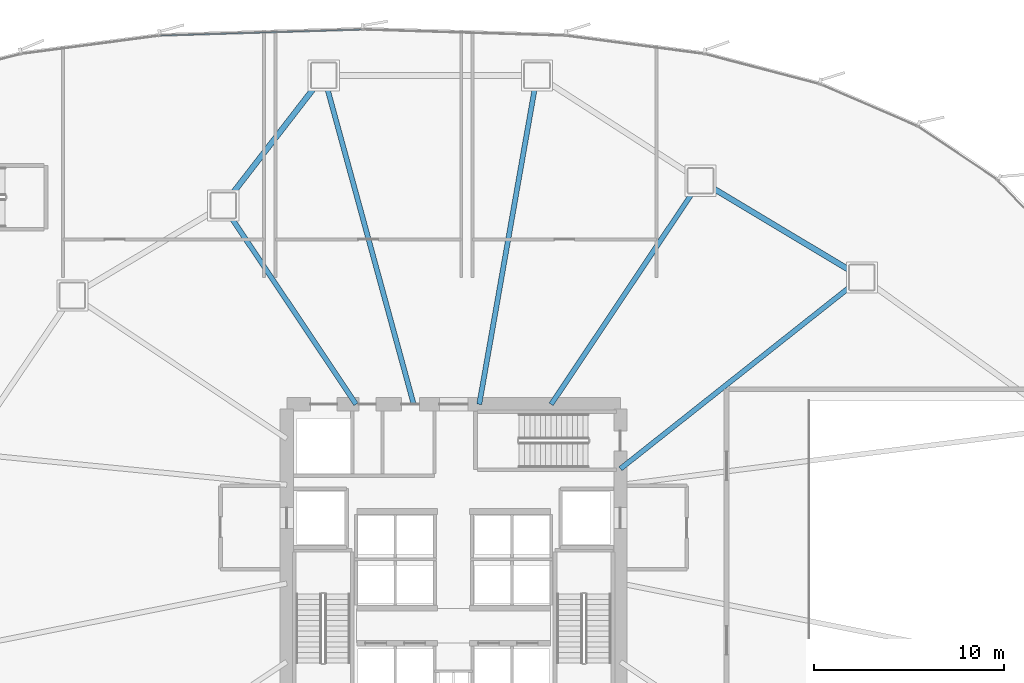
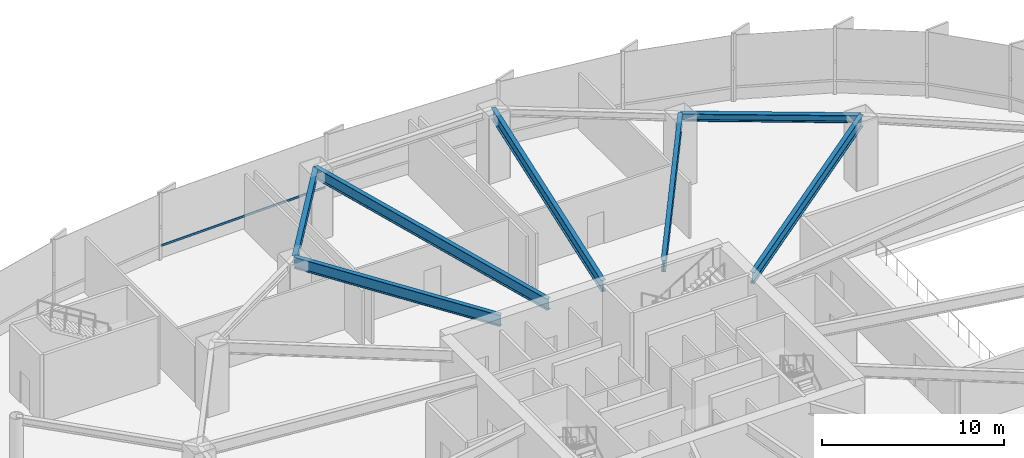
# One storey, part 13 of 34: 7 beams, 1 member, 1 element without a shape of its own.
"""IFC4 building model written with IfcOpenShell, lengths in metres."""

from ifc_helpers import new_model, si_unit, direction, frame, origin, origin_2d, place, context, subcontext, project, spatial, hollow_rectangle, i_section, extrude, source, transform, mapped, material, layer, layer_set, material_profile, profile_set, type_object, element, aggregate, save


model = new_model("IFC4")

# Units and contexts
model_context = context("Model", 3, precision=1e-05, world=origin(), true_north=direction((0.0, 1.0)))
body_context = subcontext(model_context, "Body", "Model", "MODEL_VIEW")
ifc_project = project(units=[si_unit("LENGTHUNIT", "METRE"), si_unit("AREAUNIT", "SQUARE_METRE"), si_unit("VOLUMEUNIT", "CUBIC_METRE"), si_unit("PLANEANGLEUNIT", "RADIAN"), si_unit("MASSUNIT", "GRAM", prefix="KILO"), si_unit("THERMODYNAMICTEMPERATUREUNIT", "KELVIN")], contexts=[model_context])

# Site, building, storey
site_placement = place(None, origin())
site = spatial("IfcSite", under=ifc_project, at=site_placement, CompositionType="ELEMENT")
building_placement = place(site_placement, origin())
building = spatial("IfcBuilding", under=site, at=building_placement, Name="Kethvar Cultural Tower", CompositionType="ELEMENT")
storey_placement = place(building_placement, frame((0.0, 0.0, 14.800048828125)))
storey = spatial("IfcBuildingStorey", under=building, at=storey_placement, Name="L03", CompositionType="ELEMENT", Elevation=14.800048828125)

# Beams
ifc_material_1 = material(Name="Steel S355J2", Category="steel")
ifc_material_profile_1 = material_profile(ifc_material_1, i_section(OverallWidth=0.300048828125, OverallDepth=0.5, WebThickness=0.014404296875, FlangeThickness=0.028076171875, FilletRadius=0.027099609375, at=origin_2d()), Name="Steel S355J2 — HEB500")
ifc_profile_set_1 = profile_set([ifc_material_profile_1], Name="Steel S355J2 — HEB500")
beam_type_1 = type_object("IfcBeamType", Name="BM-SP500", PredefinedType="SPANDREL", material=ifc_profile_set_1)
shared_shape_1 = source(origin(), body_context, "Body", "SweptSolid", [
    extrude(i_section(OverallWidth=0.300048828125, OverallDepth=0.5, WebThickness=0.014404296875, FlangeThickness=0.028076171875, FilletRadius=0.027099609375, at=origin_2d()), origin(), (0.0, 0.0, 1.0), 9.924072265625),
])
beam_1_placement = place(storey_placement, frame((68.33642578125, 42.190185546875, 4.27783203125), z_axis=(-0.857664361463, 0.514209921215, 0.0), x_axis=(-0.514209921215, -0.857664361463, 0.0)))
element("IfcBeam", 1, at=beam_1_placement, inside=storey, type_object=beam_type_1, Name="L03 Podium Ring Beam 02", PredefinedType="SPANDREL", context=body_context, shape_type="MappedRepresentation", body=[
    mapped(shared_shape_1, transform((0.0, 0.0, 0.0), scale=1.0)),
])
shared_shape_2 = source(origin(), body_context, "Body", "SweptSolid", [
    extrude(i_section(OverallWidth=0.300048828125, OverallDepth=0.5, WebThickness=0.014404296875, FlangeThickness=0.028076171875, FilletRadius=0.027099609375, at=origin_2d()), origin(), (0.0, 0.0, 1.0), 8.671630859375),
])
beam_2_placement = place(storey_placement, frame((39.949951171875, 52.85009765625, 4.27783203125), z_axis=(-0.611647801721, -0.791130183124, 0.0), x_axis=(0.791130183124, -0.611647801721, 0.0)))
element("IfcBeam", 2, at=beam_2_placement, inside=storey, type_object=beam_type_1, Name="L03 Podium Ring Beam 05", PredefinedType="SPANDREL", context=body_context, shape_type="MappedRepresentation", body=[
    mapped(shared_shape_2, transform((0.0, 0.0, 0.0), scale=1.0)),
])
ifc_material_profile_2 = material_profile(ifc_material_1, i_section(OverallWidth=0.26708984375, OverallDepth=0.761962890625, WebThickness=0.014404296875, FlangeThickness=0.021484375, FilletRadius=0.01708984375, at=origin_2d()), Name="Steel S355J2 — IPE750x173")
ifc_profile_set_2 = profile_set([ifc_material_profile_2], Name="Steel S355J2 — IPE750x173")
beam_type_2 = type_object("IfcBeamType", Name="BM-IPE750", PredefinedType="BEAM", material=ifc_profile_set_2)
shared_shape_3 = source(origin(), body_context, "Body", "SweptSolid", [
    extrude(i_section(OverallWidth=0.26708984375, OverallDepth=0.761962890625, WebThickness=0.014404296875, FlangeThickness=0.021484375, FilletRadius=0.01708984375, at=origin_2d()), origin(), (0.0, 0.0, 1.0), 16.248779296875),
])
beam_3_placement = place(storey_placement, frame((55.60009765625, 32.10009765625, 4.14697265625), z_axis=(0.783831288624, 0.620973840813, 0.0), x_axis=(-0.620973840813, 0.783831288624, 0.0)))
element("IfcBeam", 3, at=beam_3_placement, inside=storey, type_object=beam_type_2, Name="L03 Podium Radial Girder 02", PredefinedType="BEAM", context=body_context, shape_type="MappedRepresentation", body=[
    mapped(shared_shape_3, transform((0.0, 0.0, 0.0), scale=1.0)),
])
shared_shape_4 = source(origin(), body_context, "Body", "SweptSolid", [
    extrude(i_section(OverallWidth=0.26708984375, OverallDepth=0.761962890625, WebThickness=0.014404296875, FlangeThickness=0.021484375, FilletRadius=0.01708984375, at=origin_2d()), origin(), (0.0, 0.0, 1.0), 14.18359375),
])
beam_4_placement = place(storey_placement, frame((51.945068359375, 35.5, 4.14697265625), z_axis=(0.55556584065, 0.831472547174, 0.0), x_axis=(-0.831472547174, 0.55556584065, 0.0)))
element("IfcBeam", 4, at=beam_4_placement, inside=storey, type_object=beam_type_2, Name="L03 Podium Radial Girder 03", PredefinedType="BEAM", context=body_context, shape_type="MappedRepresentation", body=[
    mapped(shared_shape_4, transform((0.0, 0.0, 0.0), scale=1.0)),
])
shared_shape_5 = source(origin(), body_context, "Body", "SweptSolid", [
    extrude(i_section(OverallWidth=0.26708984375, OverallDepth=0.761962890625, WebThickness=0.014404296875, FlangeThickness=0.021484375, FilletRadius=0.01708984375, at=origin_2d()), origin(), (0.0, 0.0, 1.0), 17.61572265625),
])
beam_5_placement = place(storey_placement, frame((48.152587890625, 35.5, 4.14697265625), z_axis=(0.172991485085, 0.984923319903, 0.0), x_axis=(-0.984923319903, 0.172991485085, 0.0)))
element("IfcBeam", 5, at=beam_5_placement, inside=storey, type_object=beam_type_2, Name="L03 Podium Radial Girder 04", PredefinedType="BEAM", context=body_context, shape_type="MappedRepresentation", body=[
    mapped(shared_shape_5, transform((0.0, 0.0, 0.0), scale=1.0)),
])
shared_shape_6 = source(origin(), body_context, "Body", "SweptSolid", [
    extrude(i_section(OverallWidth=0.26708984375, OverallDepth=0.761962890625, WebThickness=0.014404296875, FlangeThickness=0.021484375, FilletRadius=0.01708984375, at=origin_2d()), origin(), (0.0, 0.0, 1.0), 17.987060546875),
])
beam_6_placement = place(storey_placement, frame((44.6943359375, 35.5, 4.14697265625), z_axis=(-0.26376624534, 0.964586630541, 0.0), x_axis=(-0.964586630541, -0.26376624534, 0.0)))
element("IfcBeam", 6, at=beam_6_placement, inside=storey, type_object=beam_type_2, Name="L03 Podium Radial Girder 05", PredefinedType="BEAM", context=body_context, shape_type="MappedRepresentation", body=[
    mapped(shared_shape_6, transform((0.0, 0.0, 0.0), scale=1.0)),
])
shared_shape_7 = source(origin(), body_context, "Body", "SweptSolid", [
    extrude(i_section(OverallWidth=0.26708984375, OverallDepth=0.761962890625, WebThickness=0.014404296875, FlangeThickness=0.021484375, FilletRadius=0.01708984375, at=origin_2d()), origin(), (0.0, 0.0, 1.0), 12.615966796875),
])
beam_7_placement = place(storey_placement, frame((41.655029296875, 35.5, 4.14697265625), z_axis=(-0.555570723257, 0.831469284736, 0.0), x_axis=(-0.831469284736, -0.555570723257, 0.0)))
element("IfcBeam", 7, at=beam_7_placement, inside=storey, type_object=beam_type_2, Name="L03 Podium Radial Girder 06", PredefinedType="BEAM", context=body_context, shape_type="MappedRepresentation", body=[
    mapped(shared_shape_7, transform((0.0, 0.0, 0.0), scale=1.0)),
])

# Curtain wall, member
ifc_material_2 = material(Name="Aluminium 6063-T6", Category="aluminium")
ifc_layer = layer(ifc_material_2, 0.179931640625, Name="Aluminium 6063-T6", Category="aluminium")
ifc_layer_set = layer_set([ifc_layer], Name="Aluminium 6063-T6 (180 mm)")
curtain_wall_type = type_object("IfcCurtainWallType", Name="CW-SYS-01-POD", PredefinedType="NOTDEFINED", material=ifc_layer_set)
curtain_wall_placement = place(storey_placement, origin())
curtain_wall = element("IfcCurtainWall", 8, at=curtain_wall_placement, inside=storey, type_object=curtain_wall_type, Name="L03 Curtain Wall Run 02", PredefinedType="NOTDEFINED")
ifc_material_profile_3 = material_profile(ifc_material_2, hollow_rectangle(XDim=0.06005859375, YDim=0.139892578125, WallThickness=0.0048828125, at=origin_2d()), Name="Aluminium 6063-T6 — RHS140x60x5")
ifc_profile_set_3 = profile_set([ifc_material_profile_3], Name="Aluminium 6063-T6 — RHS140x60x5")
member_type = type_object("IfcMemberType", Name="CW-SYS-01-POD-TRN", PredefinedType="USERDEFINED", material=ifc_profile_set_3)
shared_shape_8 = source(origin(), body_context, "Body", "SweptSolid", [
    extrude(hollow_rectangle(XDim=0.06005859375, YDim=0.139892578125, WallThickness=0.0048828125, at=origin_2d()), origin(), (0.0, 0.0, 1.0), 10.61279296875),
])
member_placement = place(storey_placement, frame((41.949951171875, 55.268310546875, 0.949951171875), z_axis=(-0.999545810513, -0.030135903608, 0.0), x_axis=(0.030135903608, -0.999545810513, 0.0)))
member = element("IfcMember", 9, at=member_placement, type_object=member_type, Name="CW-L03-R02 Transom 4", ObjectType="TRANSOM", PredefinedType="USERDEFINED", context=body_context, shape_type="MappedRepresentation", body=[
    mapped(shared_shape_8, transform((0.0, 0.0, 0.0), scale=1.0)),
])
aggregate(curtain_wall, [member])

save(model, "model.ifc")
